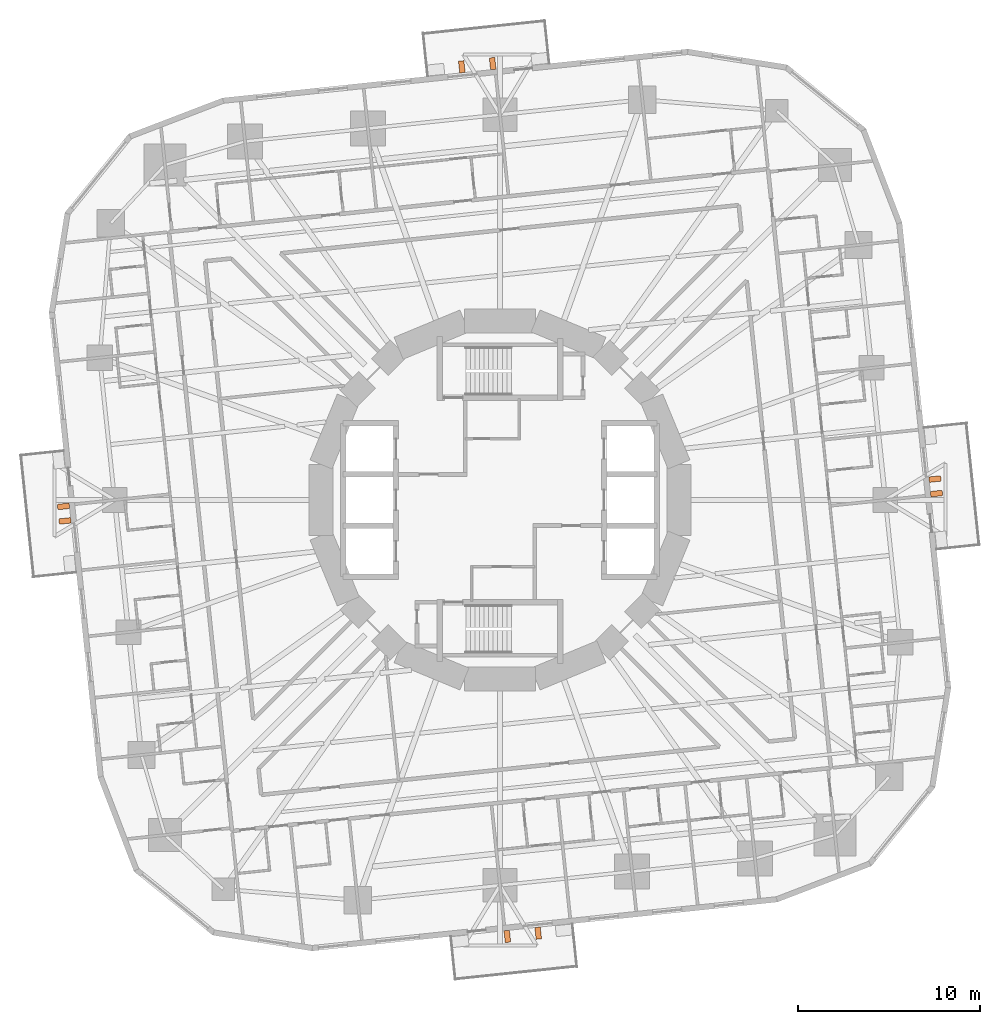
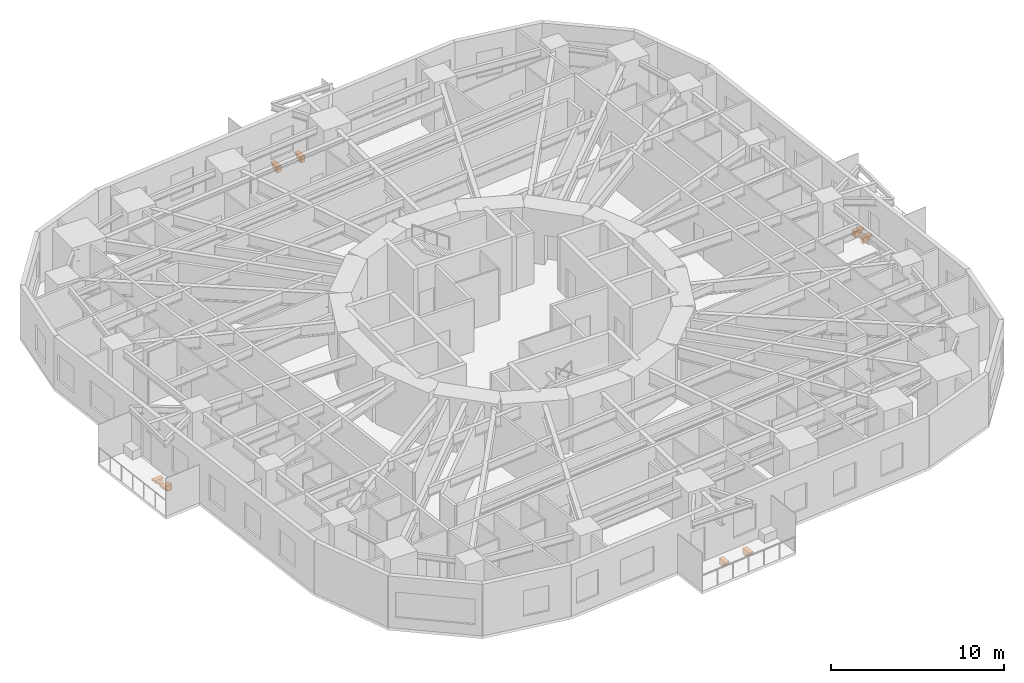
# One storey, part 14 of 14: 8 proxies.
"""IFC4 building model written with IfcOpenShell, lengths in metres."""

from ifc_helpers import new_model, si_unit, direction, frame, origin, place, context, subcontext, project, spatial, polyline, outline, extrude, material, type_object, element, save


model = new_model("IFC4")

# Units and contexts
model_context = context("Model", 3, precision=1e-05, world=origin(), true_north=direction((0.0, 1.0)))
body_context = subcontext(model_context, "Body", "Model", "MODEL_VIEW")
ifc_project = project(units=[si_unit("LENGTHUNIT", "METRE"), si_unit("AREAUNIT", "SQUARE_METRE"), si_unit("VOLUMEUNIT", "CUBIC_METRE"), si_unit("PLANEANGLEUNIT", "RADIAN"), si_unit("MASSUNIT", "GRAM", prefix="KILO")], contexts=[model_context])

# Site, building, storey
site_placement = place(None, origin())
site = spatial("IfcSite", under=ifc_project, at=site_placement, CompositionType="ELEMENT")
building_placement = place(site_placement, origin())
building = spatial("IfcBuilding", under=site, at=building_placement, Name="Nakasero Lantern House", CompositionType="ELEMENT")
storey_placement = place(building_placement, frame((0.0, 0.0, 87.449951171875)))
storey = spatial("IfcBuildingStorey", under=building, at=storey_placement, Name="L21", CompositionType="ELEMENT", Elevation=87.449951171875)

# Proxies
ifc_material = material(Name="Concrete C40/50 precast", Category="concrete")
building_element_proxy_type = type_object("IfcBuildingElementProxyType", Name="Balcony bracket 300", PredefinedType="USERDEFINED", material=ifc_material)
for number, where, z_axis, x_axis, name in (
    (1, (23.595947265625, 0.318115234375, -0.199951171875), (0.0, 0.0, 1.0), (0.994521895, 0.104528463, 0.0), "Balcony bracket L21 0A"),
    (2, (23.512451171875, 1.11376953125, -0.199951171875), (0.0, 0.0, 1.0), (0.994521895, 0.104528463, 0.0), "Balcony bracket L21 0B"),
    (3, (-0.367919921875, 23.5908203125, -0.199951171875), (0.0, 0.0, 1.0), (-0.104528463, 0.994521895, 0.0), "Balcony bracket L21 1A"),
    (4, (-2.05859375, 23.4130859375, -0.199951171875), (0.0, 0.0, 1.0), (-0.104528463, 0.994521895, 0.0), "Balcony bracket L21 1B"),
    (5, (-23.595947265625, -0.318115234375, -0.199951171875), (0.0, 0.0, 1.0), (-0.994521895, -0.104528463, 0.0), "Balcony bracket L21 2A"),
    (6, (-23.512451171875, -1.11376953125, -0.199951171875), (0.0, 0.0, 1.0), (-0.994521895, -0.104528463, 0.0), "Balcony bracket L21 2B"),
    (7, (0.367919921875, -23.5908203125, -0.199951171875), (0.0, 0.0, 1.0), (0.104528463, -0.994521895, 0.0), "Balcony bracket L21 3A"),
    (8, (2.05859375, -23.4130859375, -0.199951171875), (0.0, 0.0, 1.0), (0.104528463, -0.994521895, 0.0), "Balcony bracket L21 3B"),
):
    element("IfcBuildingElementProxy", number, at=place(storey_placement, frame(where, z_axis=z_axis, x_axis=x_axis)), inside=storey, type_object=building_element_proxy_type, Name=name, ObjectType="BALCONY BRACKET", PredefinedType="USERDEFINED", context=body_context, shape_type="SweptSolid", body=[
        extrude(outline(polyline([(0.0, 0.0), (0.64990234375, 0.0), (0.64990234375, -0.1201171875), (0.5, -0.1201171875), (0.5, -0.280029296875), (0.300048828125, -0.280029296875), (0.300048828125, -0.43994140625), (0.0, -0.43994140625), (0.0, 0.0)])), frame((0.0, 0.14990234375, 0.0), z_axis=(0.0, -1.0, 0.0), x_axis=(1.0, 0.0, 0.0)), (0.0, 0.0, 1.0), 0.300048828125),
    ])

save(model, "model.ifc")
